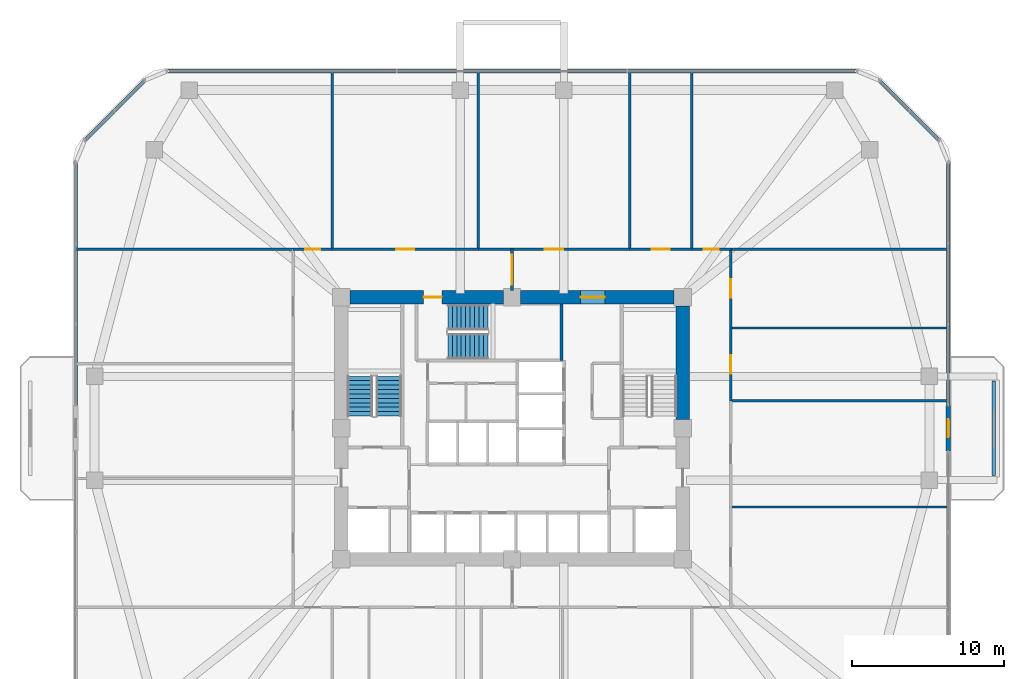
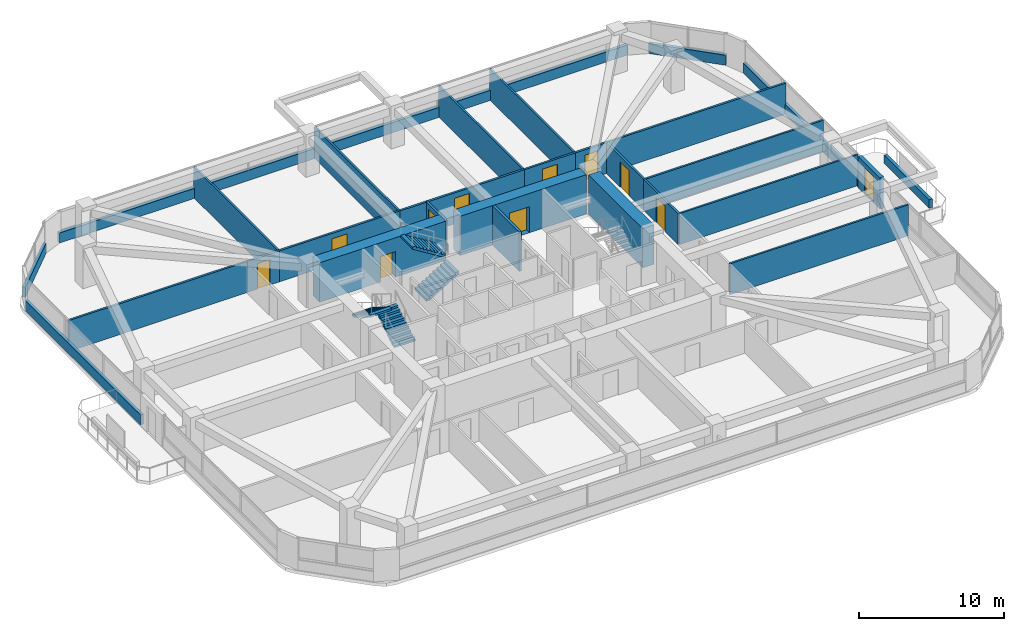
# One storey, part 12 of 15: 28 walls, 11 doors, 4 stair flights, 11 openings, 2 elements without a shape of their own.
"""IFC4 building model written with IfcOpenShell, lengths in metres."""

from ifc_helpers import new_model, si_unit, derived_unit, direction, frame, frame_2d, origin, place, context, subcontext, project, spatial, polyline, rectangle, outline, extrude, material, layer, layer_set, type_object, element, fill, aggregate, save


model = new_model("IFC4")

# Units and contexts
model_context = context("Model", 3, precision=1e-05, world=origin(), true_north=direction((0.0, 1.0)))
body_context = subcontext(model_context, "Body", "Model", "MODEL_VIEW")
ifc_project = project(units=[si_unit("LENGTHUNIT", "METRE"), si_unit("AREAUNIT", "SQUARE_METRE"), si_unit("VOLUMEUNIT", "CUBIC_METRE"), si_unit("PLANEANGLEUNIT", "RADIAN"), si_unit("MASSUNIT", "GRAM", prefix="KILO"), derived_unit("THERMALTRANSMITTANCEUNIT", [(si_unit("POWERUNIT", "WATT"), 1), (si_unit("LENGTHUNIT", "METRE"), -2), (si_unit("THERMODYNAMICTEMPERATUREUNIT", "KELVIN"), -1)])], contexts=[model_context])

# Site, building, storey
site_placement = place(None, origin())
site = spatial("IfcSite", under=ifc_project, at=site_placement, CompositionType="ELEMENT")
building_placement = place(site_placement, origin())
building = spatial("IfcBuilding", under=site, at=building_placement, Name="Koralith Skygarden Medical Center", CompositionType="ELEMENT")
storey_placement = place(building_placement, frame((0.0, 0.0, 27.5400390625)))
storey = spatial("IfcBuildingStorey", under=building, at=storey_placement, Name="L06", CompositionType="ELEMENT", Elevation=27.5400390625)

# Walls
ifc_material_1 = material(Name="Gypsum Board Partition")
ifc_layer_1 = layer(ifc_material_1, 0.14990234375)
ifc_layer_set_1 = layer_set([ifc_layer_1], Name="Gypsum Board Partition")
wall_type_1 = type_object("IfcWallType", Name="Clinical Acoustic Partition 150", PredefinedType="PARTITIONING", material=ifc_layer_set_1)
for number, where, z_axis, x_axis, name in (
    (1, (25.199951171875, 37.64990234375, 0.0), (0.0, 0.0, 1.0), (0.0, 1.0, 0.0), "L06 Clinical Acoustic Partition 150 W-PART-L06-N-01"),
    (2, (34.7939453125, 37.64990234375, 0.0), (0.0, 0.0, 1.0), (0.0, 1.0, 0.0), "L06 Clinical Acoustic Partition 150 W-PART-L06-N-02"),
    (3, (44.721923828125, 37.64990234375, 0.0), (0.0, 0.0, 1.0), (0.0, 1.0, 0.0), "L06 Clinical Acoustic Partition 150 W-PART-L06-N-03"),
    (4, (48.800048828125, 37.64990234375, 0.0), (0.0, 0.0, 1.0), (0.0, 1.0, 0.0), "L06 Clinical Acoustic Partition 150 W-PART-L06-N-04"),
):
    element("IfcWall", number, at=place(storey_placement, frame(where, z_axis=z_axis, x_axis=x_axis)), inside=storey, type_object=wall_type_1, Name=name, PredefinedType="PARTITIONING", context=body_context, shape_type="SweptSolid", body=[
        extrude(rectangle(XDim=11.650146484375, YDim=0.14990234375, at=frame_2d((5.8251953125, 0.0))), origin(), (0.0, 0.0, 1.0), 2.60986328125),
    ])
for number, where, z_axis, x_axis, name in (
    (5, (51.35009765625, 20.72998046875, 0.0), (0.0, 0.0, 1.0), (1.0, 0.0, 0.0), "L06 Clinical Acoustic Partition 150 W-PART-L06-E-01"),
    (6, (51.35009765625, 27.699951171875, 0.0), (0.0, 0.0, 1.0), (1.0, 0.0, 0.0), "L06 Clinical Acoustic Partition 150 W-PART-L06-E-02"),
    (7, (51.35009765625, 32.47998046875, 0.0), (0.0, 0.0, 1.0), (1.0, 0.0, 0.0), "L06 Clinical Acoustic Partition 150 W-PART-L06-E-03"),
):
    element("IfcWall", number, at=place(storey_placement, frame(where, z_axis=z_axis, x_axis=x_axis)), inside=storey, type_object=wall_type_1, Name=name, PredefinedType="PARTITIONING", context=body_context, shape_type="SweptSolid", body=[
        extrude(rectangle(XDim=14.25, YDim=0.14990234375, at=frame_2d((7.125, 0.0))), origin(), (0.0, 0.0, 1.0), 2.60986328125),
    ])
ifc_layer_2 = layer(ifc_material_1, 0.1650390625)
ifc_layer_set_2 = layer_set([ifc_layer_2], Name="Gypsum Board Partition")
wall_type_2 = type_object("IfcWallType", Name="Clinical Corridor Partition 165", PredefinedType="PARTITIONING", material=ifc_layer_set_2)
for number, where, z_axis, x_axis, name in (
    (8, (8.39990234375, 37.64990234375, 0.0), (0.0, 0.0, 1.0), (1.0, 0.0, 0.0), "L06 Clinical Corridor Partition 165 W-WB-L06-NW"),
    (9, (51.35009765625, 37.64990234375, 0.0), (0.0, 0.0, 1.0), (1.0, 0.0, 0.0), "L06 Clinical Corridor Partition 165 W-WB-L06-NE"),
):
    element("IfcWall", number, at=place(storey_placement, frame(where, z_axis=z_axis, x_axis=x_axis)), inside=storey, type_object=wall_type_2, Name=name, PredefinedType="PARTITIONING", context=body_context, shape_type="SweptSolid", body=[
        extrude(rectangle(XDim=14.25, YDim=0.1650390625, at=frame_2d((7.125, 0.0))), origin(), (0.0, 0.0, 1.0), 2.60986328125),
    ])

# Wall, opening, door
wall_1_placement = place(storey_placement, frame((22.64990234375, 37.64990234375, 0.0), z_axis=(0.0, 0.0, 1.0), x_axis=(1.0, 0.0, 0.0)))
wall_1 = element("IfcWall", 10, at=wall_1_placement, inside=storey, type_object=wall_type_2, Name="L06 Clinical Corridor Partition 165 W-CORR-L06-N-01", PredefinedType="PARTITIONING", context=body_context, shape_type="SweptSolid", body=[
    extrude(rectangle(XDim=2.550048828125, YDim=0.1650390625, at=frame_2d((1.27490234375, 0.0))), origin(), (0.0, 0.0, 1.0), 2.60986328125),
])
opening_1_placement = place(wall_1_placement, frame((0.77490234375, 0.0, 0.0)))
opening_1 = element("IfcOpeningElement", 11, at=opening_1_placement, cuts=wall_1, Name="Opening D-SUP", PredefinedType="OPENING", context=body_context, shape_type="SweptSolid", body=[
    extrude(rectangle(XDim=1.0, YDim=2.14990234375, at=frame_2d((0.5, 1.074951171875))), frame((0.0, 0.092529296875, 0.0), z_axis=(0.0, -1.0, 0.0), x_axis=(1.0, 0.0, 0.0)), (0.0, 0.0, 1.0), 0.18505859375),
])
ifc_material_2 = material(Name="Aluminium 6063-T6", Category="aluminium")
door_type_1 = type_object("IfcDoorType", Name="Clinical Support Door D-SUP 1000", OperationType="NOTDEFINED", PredefinedType="DOOR", material=ifc_material_2)
door_1_placement = place(opening_1_placement, origin())
door_1 = element("IfcDoor", 12, at=door_1_placement, inside=storey, type_object=door_type_1, Name="L06 Decentralized Nurse Charting Station 01 Door", OperationType="SINGLE_SWING_RIGHT", OverallHeight=2.14990234375, OverallWidth=1.0, PredefinedType="DOOR", context=body_context, shape_type="SweptSolid", body=[
    extrude(rectangle(XDim=1.0, YDim=2.14990234375, at=frame_2d((0.5, 1.074951171875))), frame((0.0, 0.02490234375, 0.0), z_axis=(0.0, -1.0, 0.0), x_axis=(1.0, 0.0, 0.0)), (0.0, 0.0, 1.0), 0.050048828125),
])
fill(opening_1, door_1)

wall_2_placement = place(storey_placement, frame((25.199951171875, 37.64990234375, 0.0), z_axis=(0.0, 0.0, 1.0), x_axis=(1.0, 0.0, 0.0)))
wall_2 = element("IfcWall", 13, at=wall_2_placement, inside=storey, type_object=wall_type_2, Name="L06 Clinical Corridor Partition 165 W-CORR-L06-N-02", PredefinedType="PARTITIONING", context=body_context, shape_type="SweptSolid", body=[
    extrude(rectangle(XDim=9.593994140625, YDim=0.1650390625, at=frame_2d((4.796875, 0.0))), origin(), (0.0, 0.0, 1.0), 2.60986328125),
])
opening_2_placement = place(wall_2_placement, frame((4.197021484375, 0.0, 0.0)))
opening_2 = element("IfcOpeningElement", 14, at=opening_2_placement, cuts=wall_2, Name="Opening D-CLN", PredefinedType="OPENING", context=body_context, shape_type="SweptSolid", body=[
    extrude(rectangle(XDim=1.199951171875, YDim=2.14990234375, at=frame_2d((0.60009765625, 1.074951171875))), frame((0.0, 0.092529296875, 0.0), z_axis=(0.0, -1.0, 0.0), x_axis=(1.0, 0.0, 0.0)), (0.0, 0.0, 1.0), 0.18505859375),
])
door_type_2 = type_object("IfcDoorType", Name="Clinical Corridor Door D-CLN 1200", OperationType="NOTDEFINED", PredefinedType="DOOR", material=ifc_material_2)
door_2_placement = place(opening_2_placement, origin())
door_2 = element("IfcDoor", 15, at=door_2_placement, inside=storey, type_object=door_type_2, Name="L06 Clinical Examination Room 02 Door", OperationType="SINGLE_SWING_LEFT", OverallHeight=2.14990234375, OverallWidth=1.199951171875, PredefinedType="DOOR", context=body_context, shape_type="SweptSolid", body=[
    extrude(rectangle(XDim=1.199951171875, YDim=2.14990234375, at=frame_2d((0.60009765625, 1.074951171875))), frame((0.0, 0.02490234375, 0.0), z_axis=(0.0, -1.0, 0.0), x_axis=(1.0, 0.0, 0.0)), (0.0, 0.0, 1.0), 0.050048828125),
])
fill(opening_2, door_2)

wall_3_placement = place(storey_placement, frame((34.7939453125, 37.64990234375, 0.0), z_axis=(0.0, 0.0, 1.0), x_axis=(1.0, 0.0, 0.0)))
wall_3 = element("IfcWall", 16, at=wall_3_placement, inside=storey, type_object=wall_type_2, Name="L06 Clinical Corridor Partition 165 W-CORR-L06-N-03", PredefinedType="PARTITIONING", context=body_context, shape_type="SweptSolid", body=[
    extrude(rectangle(XDim=9.927978515625, YDim=0.1650390625, at=frame_2d((4.9638671875, 0.0))), origin(), (0.0, 0.0, 1.0), 2.60986328125),
])
opening_3_placement = place(wall_3_placement, frame((4.364013671875, 0.0, 0.0)))
opening_3 = element("IfcOpeningElement", 17, at=opening_3_placement, cuts=wall_3, Name="Opening D-CLN", PredefinedType="OPENING", context=body_context, shape_type="SweptSolid", body=[
    extrude(rectangle(XDim=1.199951171875, YDim=2.14990234375, at=frame_2d((0.60009765625, 1.074951171875))), frame((0.0, 0.092529296875, 0.0), z_axis=(0.0, -1.0, 0.0), x_axis=(1.0, 0.0, 0.0)), (0.0, 0.0, 1.0), 0.18505859375),
])
door_3_placement = place(opening_3_placement, origin())
door_3 = element("IfcDoor", 18, at=door_3_placement, inside=storey, type_object=door_type_2, Name="L06 Attending Physician Consultation Office 03 Door", OperationType="SINGLE_SWING_RIGHT", OverallHeight=2.14990234375, OverallWidth=1.199951171875, PredefinedType="DOOR", context=body_context, shape_type="SweptSolid", body=[
    extrude(rectangle(XDim=1.199951171875, YDim=2.14990234375, at=frame_2d((0.60009765625, 1.074951171875))), frame((0.0, 0.02490234375, 0.0), z_axis=(0.0, -1.0, 0.0), x_axis=(1.0, 0.0, 0.0)), (0.0, 0.0, 1.0), 0.050048828125),
])
fill(opening_3, door_3)

wall_4_placement = place(storey_placement, frame((44.721923828125, 37.64990234375, 0.0), z_axis=(0.0, 0.0, 1.0), x_axis=(1.0, 0.0, 0.0)))
wall_4 = element("IfcWall", 19, at=wall_4_placement, inside=storey, type_object=wall_type_2, Name="L06 Clinical Corridor Partition 165 W-CORR-L06-N-04", PredefinedType="PARTITIONING", context=body_context, shape_type="SweptSolid", body=[
    extrude(rectangle(XDim=4.078125, YDim=0.1650390625, at=frame_2d((2.0390625, 0.0))), origin(), (0.0, 0.0, 1.0), 2.60986328125),
])
opening_4_placement = place(wall_4_placement, frame((1.43896484375, 0.0, 0.0)))
opening_4 = element("IfcOpeningElement", 20, at=opening_4_placement, cuts=wall_4, Name="Opening D-CLN", PredefinedType="OPENING", context=body_context, shape_type="SweptSolid", body=[
    extrude(rectangle(XDim=1.199951171875, YDim=2.14990234375, at=frame_2d((0.60009765625, 1.074951171875))), frame((0.0, 0.092529296875, 0.0), z_axis=(0.0, -1.0, 0.0), x_axis=(1.0, 0.0, 0.0)), (0.0, 0.0, 1.0), 0.18505859375),
])
door_4_placement = place(opening_4_placement, origin())
door_4 = element("IfcDoor", 21, at=door_4_placement, inside=storey, type_object=door_type_2, Name="L06 Clinical Consultation Office 04 Door", OperationType="SINGLE_SWING_LEFT", OverallHeight=2.14990234375, OverallWidth=1.199951171875, PredefinedType="DOOR", context=body_context, shape_type="SweptSolid", body=[
    extrude(rectangle(XDim=1.199951171875, YDim=2.14990234375, at=frame_2d((0.60009765625, 1.074951171875))), frame((0.0, 0.02490234375, 0.0), z_axis=(0.0, -1.0, 0.0), x_axis=(1.0, 0.0, 0.0)), (0.0, 0.0, 1.0), 0.050048828125),
])
fill(opening_4, door_4)

wall_5_placement = place(storey_placement, frame((48.800048828125, 37.64990234375, 0.0), z_axis=(0.0, 0.0, 1.0), x_axis=(1.0, 0.0, 0.0)))
wall_5 = element("IfcWall", 22, at=wall_5_placement, inside=storey, type_object=wall_type_2, Name="L06 Clinical Corridor Partition 165 W-CORR-L06-N-05", PredefinedType="PARTITIONING", context=body_context, shape_type="SweptSolid", body=[
    extrude(rectangle(XDim=2.550048828125, YDim=0.1650390625, at=frame_2d((1.27490234375, 0.0))), origin(), (0.0, 0.0, 1.0), 2.60986328125),
])
opening_5_placement = place(wall_5_placement, frame((0.77490234375, 0.0, 0.0)))
opening_5 = element("IfcOpeningElement", 23, at=opening_5_placement, cuts=wall_5, Name="Opening D-SUP", PredefinedType="OPENING", context=body_context, shape_type="SweptSolid", body=[
    extrude(rectangle(XDim=1.0, YDim=2.14990234375, at=frame_2d((0.5, 1.074951171875))), frame((0.0, 0.092529296875, 0.0), z_axis=(0.0, -1.0, 0.0), x_axis=(1.0, 0.0, 0.0)), (0.0, 0.0, 1.0), 0.18505859375),
])
door_5_placement = place(opening_5_placement, origin())
door_5 = element("IfcDoor", 24, at=door_5_placement, inside=storey, type_object=door_type_1, Name="L06 Decentralized Nurse Charting Station 05 Door", OperationType="SINGLE_SWING_RIGHT", OverallHeight=2.14990234375, OverallWidth=1.0, PredefinedType="DOOR", context=body_context, shape_type="SweptSolid", body=[
    extrude(rectangle(XDim=1.0, YDim=2.14990234375, at=frame_2d((0.5, 1.074951171875))), frame((0.0, 0.02490234375, 0.0), z_axis=(0.0, -1.0, 0.0), x_axis=(1.0, 0.0, 0.0)), (0.0, 0.0, 1.0), 0.050048828125),
])
fill(opening_5, door_5)

wall_6_placement = place(storey_placement, frame((51.35009765625, 27.699951171875, 0.0), z_axis=(0.0, 0.0, 1.0), x_axis=(0.0, 1.0, 0.0)))
wall_6 = element("IfcWall", 25, at=wall_6_placement, inside=storey, type_object=wall_type_2, Name="L06 Clinical Corridor Partition 165 W-CORR-L06-E-03", PredefinedType="PARTITIONING", context=body_context, shape_type="SweptSolid", body=[
    extrude(rectangle(XDim=4.780029296875, YDim=0.1650390625, at=frame_2d((2.39013671875, 0.0))), origin(), (0.0, 0.0, 1.0), 2.60986328125),
])
opening_6_placement = place(wall_6_placement, frame((1.7900390625, 0.0, 0.0)))
opening_6 = element("IfcOpeningElement", 26, at=opening_6_placement, cuts=wall_6, Name="Opening D-CLN", PredefinedType="OPENING", context=body_context, shape_type="SweptSolid", body=[
    extrude(rectangle(XDim=1.199951171875, YDim=2.14990234375, at=frame_2d((0.60009765625, 1.074951171875))), frame((0.0, 0.092529296875, 0.0), z_axis=(0.0, -1.0, 0.0), x_axis=(1.0, 0.0, 0.0)), (0.0, 0.0, 1.0), 0.18505859375),
])
door_6_placement = place(opening_6_placement, origin())
door_6 = element("IfcDoor", 27, at=door_6_placement, inside=storey, type_object=door_type_2, Name="L06 Attending Physician Consultation Office 17 Door", OperationType="SINGLE_SWING_RIGHT", OverallHeight=2.14990234375, OverallWidth=1.199951171875, PredefinedType="DOOR", context=body_context, shape_type="SweptSolid", body=[
    extrude(rectangle(XDim=1.199951171875, YDim=2.14990234375, at=frame_2d((0.60009765625, 1.074951171875))), frame((0.0, 0.02490234375, 0.0), z_axis=(0.0, -1.0, 0.0), x_axis=(1.0, 0.0, 0.0)), (0.0, 0.0, 1.0), 0.050048828125),
])
fill(opening_6, door_6)

wall_7_placement = place(storey_placement, frame((51.35009765625, 32.47998046875, 0.0), z_axis=(0.0, 0.0, 1.0), x_axis=(0.0, 1.0, 0.0)))
wall_7 = element("IfcWall", 28, at=wall_7_placement, inside=storey, type_object=wall_type_2, Name="L06 Clinical Corridor Partition 165 W-CORR-L06-E-04", PredefinedType="PARTITIONING", context=body_context, shape_type="SweptSolid", body=[
    extrude(rectangle(XDim=5.169921875, YDim=0.1650390625, at=frame_2d((2.5849609375, 0.0))), origin(), (0.0, 0.0, 1.0), 2.60986328125),
])
opening_7_placement = place(wall_7_placement, frame((1.985107421875, 0.0, 0.0)))
opening_7 = element("IfcOpeningElement", 29, at=opening_7_placement, cuts=wall_7, Name="Opening D-CLN", PredefinedType="OPENING", context=body_context, shape_type="SweptSolid", body=[
    extrude(rectangle(XDim=1.199951171875, YDim=2.14990234375, at=frame_2d((0.60009765625, 1.074951171875))), frame((0.0, 0.092529296875, 0.0), z_axis=(0.0, -1.0, 0.0), x_axis=(1.0, 0.0, 0.0)), (0.0, 0.0, 1.0), 0.18505859375),
])
door_7_placement = place(opening_7_placement, origin())
door_7 = element("IfcDoor", 30, at=door_7_placement, inside=storey, type_object=door_type_2, Name="L06 Clinical Consultation Office 18 Door", OperationType="SINGLE_SWING_LEFT", OverallHeight=2.14990234375, OverallWidth=1.199951171875, PredefinedType="DOOR", context=body_context, shape_type="SweptSolid", body=[
    extrude(rectangle(XDim=1.199951171875, YDim=2.14990234375, at=frame_2d((0.60009765625, 1.074951171875))), frame((0.0, 0.02490234375, 0.0), z_axis=(0.0, -1.0, 0.0), x_axis=(1.0, 0.0, 0.0)), (0.0, 0.0, 1.0), 0.050048828125),
])
fill(opening_7, door_7)

ifc_layer_3 = layer(ifc_material_1, 0.179931640625)
ifc_layer_set_3 = layer_set([ifc_layer_3], Name="Gypsum Board Partition")
wall_type_3 = type_object("IfcWallType", Name="Group I-2 Smoke Barrier Wall 180", PredefinedType="PARTITIONING", material=ifc_layer_set_3)
wall_8_placement = place(storey_placement, frame((37.0, 34.949951171875, 0.0), z_axis=(0.0, 0.0, 1.0), x_axis=(0.0, 1.0, 0.0)))
wall_8 = element("IfcWall", 31, at=wall_8_placement, inside=storey, type_object=wall_type_3, Name="L06 Group I-2 Smoke Barrier Wall 180 W-SMK-L06-N", PredefinedType="PARTITIONING", context=body_context, shape_type="SweptSolid", body=[
    extrude(rectangle(XDim=2.699951171875, YDim=0.179931640625, at=frame_2d((1.35009765625, 0.0))), origin(), (0.0, 0.0, 1.0), 2.60986328125),
])
opening_8_placement = place(wall_8_placement, frame((0.35009765625, 0.0, 0.0)))
opening_8 = element("IfcOpeningElement", 32, at=opening_8_placement, cuts=wall_8, Name="Opening D-SMK", PredefinedType="OPENING", context=body_context, shape_type="SweptSolid", body=[
    extrude(rectangle(XDim=2.0, YDim=2.199951171875, at=frame_2d((1.0, 1.10009765625))), frame((0.0, 0.099853515625, 0.0), z_axis=(0.0, -1.0, 0.0), x_axis=(1.0, 0.0, 0.0)), (0.0, 0.0, 1.0), 0.199951171875),
])
ifc_material_3 = material(Name="Steel ASTM A500 Grade C", Category="steel")
door_type_3 = type_object("IfcDoorType", Name="Cross-Corridor Double Smoke Door FD60S 2000", OperationType="NOTDEFINED", PredefinedType="DOOR", material=ifc_material_3)
door_8_placement = place(opening_8_placement, origin())
door_8 = element("IfcDoor", 33, at=door_8_placement, inside=storey, type_object=door_type_3, Name="L06 N Smoke Compartment Cross-Corridor Door", OperationType="DOUBLE_DOOR_SINGLE_SWING", OverallHeight=2.199951171875, OverallWidth=2.0, PredefinedType="DOOR", context=body_context, shape_type="SweptSolid", body=[
    extrude(rectangle(XDim=2.0, YDim=2.199951171875, at=frame_2d((1.0, 1.10009765625))), frame((0.0, 0.02490234375, 0.0), z_axis=(0.0, -1.0, 0.0), x_axis=(1.0, 0.0, 0.0)), (0.0, 0.0, 1.0), 0.050048828125),
])
fill(opening_8, door_8)

# Walls
ifc_material_4 = material(Name="Warm Oolitic Limestone Cladding", Category="masonry")
ifc_layer_4 = layer(ifc_material_4, 0.239990234375)
ifc_layer_set_4 = layer_set([ifc_layer_4], Name="Warm Oolitic Limestone Cladding")
wall_type_4 = type_object("IfcWallType", Name="Limestone Spandrel Sill Backup Wall 240", PredefinedType="SOLIDWALL", material=ifc_layer_set_4)
wall_9_placement = place(storey_placement, frame((65.6201171875, 27.43994140625, 0.0), z_axis=(0.0, 0.0, 1.0), x_axis=(0.0, 1.0, 0.0)))
element("IfcWall", 34, at=wall_9_placement, inside=storey, type_object=wall_type_4, Name="L06 Sill Spandrel E-R", PredefinedType="SOLIDWALL", context=body_context, shape_type="SweptSolid", body=[
    extrude(rectangle(XDim=15.905029296875, YDim=0.239990234375, at=frame_2d((7.95263671875, 0.0))), origin(), (0.0, 0.0, 1.0), 0.849853515625),
])
wall_10_placement = place(storey_placement, frame((65.01904296875, 44.7958984375, 0.0), z_axis=(0.0, 0.0, 1.0), x_axis=(-0.707106781187, 0.707106781187, 0.0)))
element("IfcWall", 35, at=wall_10_placement, inside=storey, type_object=wall_type_4, Name="L06 Sill Spandrel NE", PredefinedType="SOLIDWALL", context=body_context, shape_type="SweptSolid", body=[
    extrude(rectangle(XDim=5.548095703125, YDim=0.239990234375, at=frame_2d((2.77392578125, 0.0))), origin(), (0.0, 0.0, 1.0), 0.849853515625),
])
wall_11_placement = place(storey_placement, frame((59.64501953125, 49.320068359375, 0.0), z_axis=(0.0, 0.0, 1.0), x_axis=(-1.0, 0.0, 0.0)))
element("IfcWall", 36, at=wall_11_placement, inside=storey, type_object=wall_type_4, Name="L06 Sill Spandrel N", PredefinedType="SOLIDWALL", context=body_context, shape_type="SweptSolid", body=[
    extrude(rectangle(XDim=45.2900390625, YDim=0.239990234375, at=frame_2d((22.64501953125, 0.0))), origin(), (0.0, 0.0, 1.0), 0.849853515625),
])
wall_12_placement = place(storey_placement, frame((12.904052734375, 48.718994140625, 0.0), z_axis=(0.0, 0.0, 1.0), x_axis=(-0.707106781187, -0.707106781187, 0.0)))
element("IfcWall", 37, at=wall_12_placement, inside=storey, type_object=wall_type_4, Name="L06 Sill Spandrel NW", PredefinedType="SOLIDWALL", context=body_context, shape_type="SweptSolid", body=[
    extrude(rectangle(XDim=5.548095703125, YDim=0.239990234375, at=frame_2d((2.77392578125, 0.0))), origin(), (0.0, 0.0, 1.0), 0.849853515625),
])
wall_13_placement = place(storey_placement, frame((8.3798828125, 43.344970703125, 0.0), z_axis=(0.0, 0.0, 1.0), x_axis=(0.0, -1.0, 0.0)))
element("IfcWall", 38, at=wall_13_placement, inside=storey, type_object=wall_type_4, Name="L06 Sill Spandrel W-L", PredefinedType="SOLIDWALL", context=body_context, shape_type="SweptSolid", body=[
    extrude(rectangle(XDim=15.905029296875, YDim=0.239990234375, at=frame_2d((7.95263671875, 0.0))), origin(), (0.0, 0.0, 1.0), 0.849853515625),
])
ifc_material_5 = material(Name="Concrete C70/85", Category="concrete")
ifc_layer_5 = layer(ifc_material_5, 0.89990234375)
ifc_layer_set_5 = layer_set([ifc_layer_5], Name="Concrete C70/85")
wall_type_5 = type_object("IfcWallType", Name="Lower Core Shear Wall 900", PredefinedType="SHEAR", material=ifc_layer_set_5)
wall_14_placement = place(storey_placement, frame((48.199951171875, 26.465087890625, 0.0), z_axis=(0.0, 0.0, 1.0), x_axis=(0.0, 1.0, 0.0)))
element("IfcWall", 39, at=wall_14_placement, inside=storey, type_object=wall_type_5, Name="L06 Core Shear Wall Segment 4", PredefinedType="SHEAR", context=body_context, shape_type="SweptSolid", body=[
    extrude(rectangle(XDim=7.469970703125, YDim=0.89990234375, at=frame_2d((3.73486328125, 0.0))), origin(), (0.0, 0.0, 1.0), 3.320068359375),
])

# Wall, opening, door
wall_15_placement = place(storey_placement, frame((47.635009765625, 34.5, 0.0), z_axis=(0.0, 0.0, 1.0), x_axis=(-1.0, 0.0, 0.0)))
wall_15 = element("IfcWall", 40, at=wall_15_placement, inside=storey, type_object=wall_type_5, Name="L06 Core Shear Wall Segment 5", PredefinedType="SHEAR", context=body_context, shape_type="SweptSolid", body=[
    extrude(rectangle(XDim=10.070068359375, YDim=0.89990234375, at=frame_2d((5.03515625, 0.0))), origin(), (0.0, 0.0, 1.0), 3.320068359375),
])
opening_9_placement = place(wall_15_placement, frame((4.534912109375, 0.0, 0.0)))
opening_9 = element("IfcOpeningElement", 41, at=opening_9_placement, cuts=wall_15, Name="Opening D-DBL", PredefinedType="OPENING", context=body_context, shape_type="SweptSolid", body=[
    extrude(rectangle(XDim=1.60009765625, YDim=2.199951171875, at=frame_2d((0.800048828125, 1.10009765625))), frame((0.0, 0.4599609375, 0.0), z_axis=(0.0, -1.0, 0.0), x_axis=(1.0, 0.0, 0.0)), (0.0, 0.0, 1.0), 0.919921875),
])
door_type_4 = type_object("IfcDoorType", Name="Double Clinical Suite Door D-DBL 1600", OperationType="NOTDEFINED", PredefinedType="DOOR", material=ifc_material_2)
door_9_placement = place(opening_9_placement, frame((1.60009765625, 0.0, 0.0), z_axis=(0.0, 0.0, 1.0), x_axis=(-1.0, 0.0, 0.0)))
door_9 = element("IfcDoor", 42, at=door_9_placement, inside=storey, type_object=door_type_4, Name="L06 North-East Corridor to Elevator Lobby Door", OperationType="DOUBLE_DOOR_SINGLE_SWING", OverallHeight=2.199951171875, OverallWidth=1.60009765625, PredefinedType="DOOR", context=body_context, shape_type="SweptSolid", body=[
    extrude(rectangle(XDim=1.60009765625, YDim=2.199951171875, at=frame_2d((0.800048828125, 1.10009765625))), frame((0.0, 0.02490234375, 0.0), z_axis=(0.0, -1.0, 0.0), x_axis=(1.0, 0.0, 0.0)), (0.0, 0.0, 1.0), 0.050048828125),
])
fill(opening_9, door_9)

wall_16_placement = place(storey_placement, frame((36.43505859375, 34.5, 0.0), z_axis=(0.0, 0.0, 1.0), x_axis=(-1.0, 0.0, 0.0)))
wall_16 = element("IfcWall", 43, at=wall_16_placement, inside=storey, type_object=wall_type_5, Name="L06 Core Shear Wall Segment 6", PredefinedType="SHEAR", context=body_context, shape_type="SweptSolid", body=[
    extrude(rectangle(XDim=10.070068359375, YDim=0.89990234375, at=frame_2d((5.03515625, 0.0))), origin(), (0.0, 0.0, 1.0), 3.320068359375),
])
opening_10_placement = place(wall_16_placement, frame((4.034912109375, 0.0, 0.0)))
opening_10 = element("IfcOpeningElement", 44, at=opening_10_placement, cuts=wall_16, Name="Opening D-ST60", PredefinedType="OPENING", context=body_context, shape_type="SweptSolid", body=[
    extrude(rectangle(XDim=1.199951171875, YDim=2.14990234375, at=frame_2d((0.60009765625, 1.074951171875))), frame((0.0, 0.4599609375, 0.0), z_axis=(0.0, -1.0, 0.0), x_axis=(1.0, 0.0, 0.0)), (0.0, 0.0, 1.0), 0.919921875),
])
door_type_5 = type_object("IfcDoorType", Name="Smokeproof Stair Fire Door FD60S 1200", OperationType="NOTDEFINED", PredefinedType="DOOR", material=ifc_material_3)
door_10_placement = place(opening_10_placement, frame((1.199951171875, 0.0, 0.0), z_axis=(0.0, 0.0, 1.0), x_axis=(-1.0, 0.0, 0.0)))
door_10 = element("IfcDoor", 45, at=door_10_placement, inside=storey, type_object=door_type_5, Name="L06 Exit Stair ST3 Fire Door", OperationType="SINGLE_SWING_LEFT", OverallHeight=2.14990234375, OverallWidth=1.199951171875, PredefinedType="DOOR", context=body_context, shape_type="SweptSolid", body=[
    extrude(rectangle(XDim=1.199951171875, YDim=2.14990234375, at=frame_2d((0.60009765625, 1.074951171875))), frame((0.0, 0.02490234375, 0.0), z_axis=(0.0, -1.0, 0.0), x_axis=(1.0, 0.0, 0.0)), (0.0, 0.0, 1.0), 0.050048828125),
])
fill(opening_10, door_10)

ifc_layer_6 = layer(ifc_material_4, 0.300048828125)
ifc_layer_set_6 = layer_set([ifc_layer_6], Name="Warm Oolitic Limestone Cladding")
wall_type_6 = type_object("IfcWallType", Name="Oolitic Limestone Insulated Facade Wall 300", PredefinedType="SOLIDWALL", material=ifc_layer_set_6)
wall_17_placement = place(storey_placement, frame((65.6201171875, 24.39990234375, 0.0), z_axis=(0.0, 0.0, 1.0), x_axis=(0.0, 1.0, 0.0)))
wall_17 = element("IfcWall", 46, at=wall_17_placement, inside=storey, type_object=wall_type_6, Name="L06 Terrace Portal Wall E", PredefinedType="SOLIDWALL", context=body_context, shape_type="SweptSolid", body=[
    extrude(rectangle(XDim=3.0, YDim=0.300048828125, at=frame_2d((1.5, 0.0))), origin(), (0.0, 0.0, 1.0), 2.64990234375),
])
opening_11_placement = place(wall_17_placement, frame((0.89990234375, 0.0, 0.0)))
opening_11 = element("IfcOpeningElement", 47, at=opening_11_placement, cuts=wall_17, Name="Opening D-BAL", PredefinedType="OPENING", context=body_context, shape_type="SweptSolid", body=[
    extrude(rectangle(XDim=1.199951171875, YDim=2.199951171875, at=frame_2d((0.60009765625, 1.10009765625))), frame((0.0, 0.159912109375, 0.0), z_axis=(0.0, -1.0, 0.0), x_axis=(1.0, 0.0, 0.0)), (0.0, 0.0, 1.0), 0.320068359375),
])
door_type_6 = type_object("IfcDoorType", Name="Planted Balcony Glazed Terrace Door D-BAL 1200", OperationType="NOTDEFINED", PredefinedType="DOOR", material=ifc_material_2)
door_11_placement = place(opening_11_placement, origin())
door_11 = element("IfcDoor", 48, at=door_11_placement, inside=storey, type_object=door_type_6, Name="L06 E Outdoor Terrace Access Door", OperationType="SINGLE_SWING_LEFT", OverallHeight=2.199951171875, OverallWidth=1.199951171875, PredefinedType="DOOR", context=body_context, shape_type="SweptSolid", body=[
    extrude(rectangle(XDim=1.199951171875, YDim=2.199951171875, at=frame_2d((0.60009765625, 1.10009765625))), frame((0.0, 0.02490234375, 0.0), z_axis=(0.0, -1.0, 0.0), x_axis=(1.0, 0.0, 0.0)), (0.0, 0.0, 1.0), 0.050048828125),
])
fill(opening_11, door_11)

# Walls
ifc_material_6 = material(Name="Precast concrete C40/50", Category="concrete")
ifc_layer_7 = layer(ifc_material_6, 0.25)
ifc_layer_set_7 = layer_set([ifc_layer_7], Name="Precast concrete C40/50")
wall_type_7 = type_object("IfcWallType", Name="Structural Concrete Balcony Planter Kerb 250", PredefinedType="PARAPET", material=ifc_layer_set_7)
wall_18_placement = place(storey_placement, frame((68.60009765625, 22.800048828125, 0.0), z_axis=(0.0, 0.0, 1.0), x_axis=(0.0, 1.0, 0.0)))
element("IfcWall", 49, at=wall_18_placement, inside=storey, type_object=wall_type_7, Name="L06 E Structural Tree PLANTER Box", PredefinedType="PARAPET", context=body_context, shape_type="SweptSolid", body=[
    extrude(rectangle(XDim=6.199951171875, YDim=0.25, at=frame_2d((3.10009765625, 0.0))), origin(), (0.0, 0.0, 1.0), 0.719970703125),
])
ifc_material_7 = material(Name="Concrete C45/55", Category="concrete")
ifc_layer_8 = layer(ifc_material_7, 0.199951171875)
ifc_layer_set_8 = layer_set([ifc_layer_8], Name="Concrete C45/55")
wall_type_8 = type_object("IfcWallType", Name="Structural Stair Shaft Wall 200", PredefinedType="SHEAR", material=ifc_layer_set_8)
wall_19_placement = place(storey_placement, frame((40.25, 30.360107421875, 0.0), z_axis=(0.0, 0.0, 1.0), x_axis=(0.0, 1.0, 0.0)))
element("IfcWall", 50, at=wall_19_placement, inside=storey, type_object=wall_type_8, Name="L06 Structural Stair Shaft Wall 200 W-CORE-L06-ST3-E", PredefinedType="SHEAR", context=body_context, shape_type="SweptSolid", body=[
    extrude(rectangle(XDim=3.68994140625, YDim=0.199951171875, at=frame_2d((1.844970703125, 0.0))), origin(), (0.0, 0.0, 1.0), 3.320068359375),
])

# Stair, stair flights
stair_type = type_object("IfcStairType", Name="Core Exit Dogleg Concrete Stair", PredefinedType="HALF_TURN_STAIR", material=ifc_material_7)
stair_1_placement = place(storey_placement, origin())
stair_1 = element("IfcStair", 51, at=stair_1_placement, inside=storey, type_object=stair_type, Name="L06 Smokeproof Exit Stair ST1", PredefinedType="HALF_TURN_STAIR")
stair_flight_type = type_object("IfcStairFlightType", Name="Core Exit Concrete Stair Flight 1650", PredefinedType="STRAIGHT", material=ifc_material_7)
stair_flight_1_placement = place(storey_placement, frame((28.925048828125, 26.699951171875, 0.0), z_axis=(0.0, 0.0, 1.0), x_axis=(0.0, 1.0, 0.0)))
stair_flight_1 = element("IfcStairFlight", 52, at=stair_flight_1_placement, type_object=stair_flight_type, Name="ST1 flight 1", NumberOfRisers=10, NumberOfTreads=9, PredefinedType="STRAIGHT", RiserHeight=0.18, TreadLength=0.29, context=body_context, shape_type="SweptSolid", body=[
    extrude(outline(polyline([(0.0, 0.0), (0.0, 0.179931640625), (0.2900390625, 0.179931640625), (0.2900390625, 0.360107421875), (0.580078125, 0.360107421875), (0.580078125, 0.5400390625), (0.8701171875, 0.5400390625), (0.8701171875, 0.719970703125), (1.159912109375, 0.719970703125), (1.159912109375, 0.89990234375), (1.449951171875, 0.89990234375), (1.449951171875, 1.080078125), (1.739990234375, 1.080078125), (1.739990234375, 1.260009765625), (2.030029296875, 1.260009765625), (2.030029296875, 1.43994140625), (2.320068359375, 1.43994140625), (2.320068359375, 1.6201171875), (2.610107421875, 1.6201171875), (2.610107421875, 1.800048828125), (2.610107421875, 1.443603515625), (0.2841796875, 0.0), (0.0, 0.0)])), frame((0.0, 0.824951171875, 0.0), z_axis=(0.0, -1.0, 0.0), x_axis=(1.0, 0.0, 0.0)), (0.0, 0.0, 1.0), 1.64990234375),
])
stair_flight_2_placement = place(storey_placement, frame((27.02490234375, 29.31005859375, 1.800048828125), z_axis=(0.0, 0.0, 1.0), x_axis=(0.0, -1.0, 0.0)))
stair_flight_2 = element("IfcStairFlight", 53, at=stair_flight_2_placement, type_object=stair_flight_type, Name="ST1 flight 2", NumberOfRisers=10, NumberOfTreads=9, PredefinedType="STRAIGHT", RiserHeight=0.18, TreadLength=0.29, context=body_context, shape_type="SweptSolid", body=[
    extrude(outline(polyline([(0.0, 0.0), (0.0, 0.179931640625), (0.2900390625, 0.179931640625), (0.2900390625, 0.360107421875), (0.580078125, 0.360107421875), (0.580078125, 0.5400390625), (0.8701171875, 0.5400390625), (0.8701171875, 0.719970703125), (1.159912109375, 0.719970703125), (1.159912109375, 0.89990234375), (1.449951171875, 0.89990234375), (1.449951171875, 1.080078125), (1.739990234375, 1.080078125), (1.739990234375, 1.260009765625), (2.030029296875, 1.260009765625), (2.030029296875, 1.43994140625), (2.320068359375, 1.43994140625), (2.320068359375, 1.6201171875), (2.610107421875, 1.6201171875), (2.610107421875, 1.800048828125), (2.610107421875, 1.443603515625), (0.2841796875, 0.0), (0.0, 0.0)])), frame((0.0, 0.824951171875, 0.0), z_axis=(0.0, -1.0, 0.0), x_axis=(1.0, 0.0, 0.0)), (0.0, 0.0, 1.0), 1.64990234375),
])
aggregate(stair_1, [stair_flight_1, stair_flight_2])

stair_2_placement = place(storey_placement, origin())
stair_2 = element("IfcStair", 54, at=stair_2_placement, inside=storey, type_object=stair_type, Name="L06 Smokeproof Exit Stair ST3", PredefinedType="HALF_TURN_STAIR")
stair_flight_3_placement = place(storey_placement, frame((32.800048828125, 31.27490234375, 0.0), z_axis=(0.0, 0.0, 1.0), x_axis=(1.0, 0.0, 0.0)))
stair_flight_3 = element("IfcStairFlight", 55, at=stair_flight_3_placement, type_object=stair_flight_type, Name="ST3 flight 1", NumberOfRisers=10, NumberOfTreads=9, PredefinedType="STRAIGHT", RiserHeight=0.18, TreadLength=0.29, context=body_context, shape_type="SweptSolid", body=[
    extrude(outline(polyline([(0.0, 0.0), (0.0, 0.179931640625), (0.2900390625, 0.179931640625), (0.2900390625, 0.360107421875), (0.580078125, 0.360107421875), (0.580078125, 0.5400390625), (0.8701171875, 0.5400390625), (0.8701171875, 0.719970703125), (1.159912109375, 0.719970703125), (1.159912109375, 0.89990234375), (1.449951171875, 0.89990234375), (1.449951171875, 1.080078125), (1.739990234375, 1.080078125), (1.739990234375, 1.260009765625), (2.030029296875, 1.260009765625), (2.030029296875, 1.43994140625), (2.320068359375, 1.43994140625), (2.320068359375, 1.6201171875), (2.610107421875, 1.6201171875), (2.610107421875, 1.800048828125), (2.610107421875, 1.443603515625), (0.2841796875, 0.0), (0.0, 0.0)])), frame((0.0, 0.824951171875, 0.0), z_axis=(0.0, -1.0, 0.0), x_axis=(1.0, 0.0, 0.0)), (0.0, 0.0, 1.0), 1.64990234375),
])
stair_flight_4_placement = place(storey_placement, frame((35.409912109375, 33.175048828125, 1.800048828125), z_axis=(0.0, 0.0, 1.0), x_axis=(-1.0, 0.0, 0.0)))
stair_flight_4 = element("IfcStairFlight", 56, at=stair_flight_4_placement, type_object=stair_flight_type, Name="ST3 flight 2", NumberOfRisers=10, NumberOfTreads=9, PredefinedType="STRAIGHT", RiserHeight=0.18, TreadLength=0.29, context=body_context, shape_type="SweptSolid", body=[
    extrude(outline(polyline([(0.0, 0.0), (0.0, 0.179931640625), (0.2900390625, 0.179931640625), (0.2900390625, 0.360107421875), (0.580078125, 0.360107421875), (0.580078125, 0.5400390625), (0.8701171875, 0.5400390625), (0.8701171875, 0.719970703125), (1.159912109375, 0.719970703125), (1.159912109375, 0.89990234375), (1.449951171875, 0.89990234375), (1.449951171875, 1.080078125), (1.739990234375, 1.080078125), (1.739990234375, 1.260009765625), (2.030029296875, 1.260009765625), (2.030029296875, 1.43994140625), (2.320068359375, 1.43994140625), (2.320068359375, 1.6201171875), (2.610107421875, 1.6201171875), (2.610107421875, 1.800048828125), (2.610107421875, 1.443603515625), (0.2841796875, 0.0), (0.0, 0.0)])), frame((0.0, 0.824951171875, 0.0), z_axis=(0.0, -1.0, 0.0), x_axis=(1.0, 0.0, 0.0)), (0.0, 0.0, 1.0), 1.64990234375),
])
aggregate(stair_2, [stair_flight_3, stair_flight_4])

save(model, "model.ifc")
